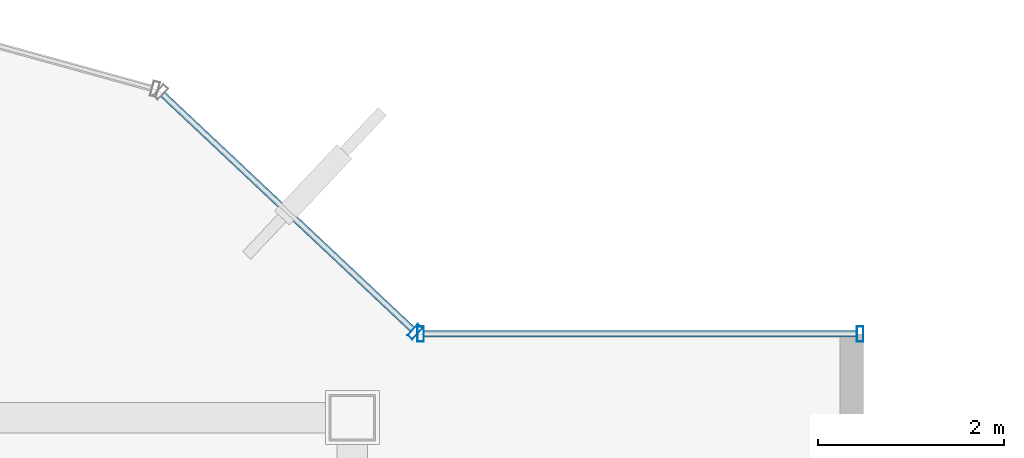
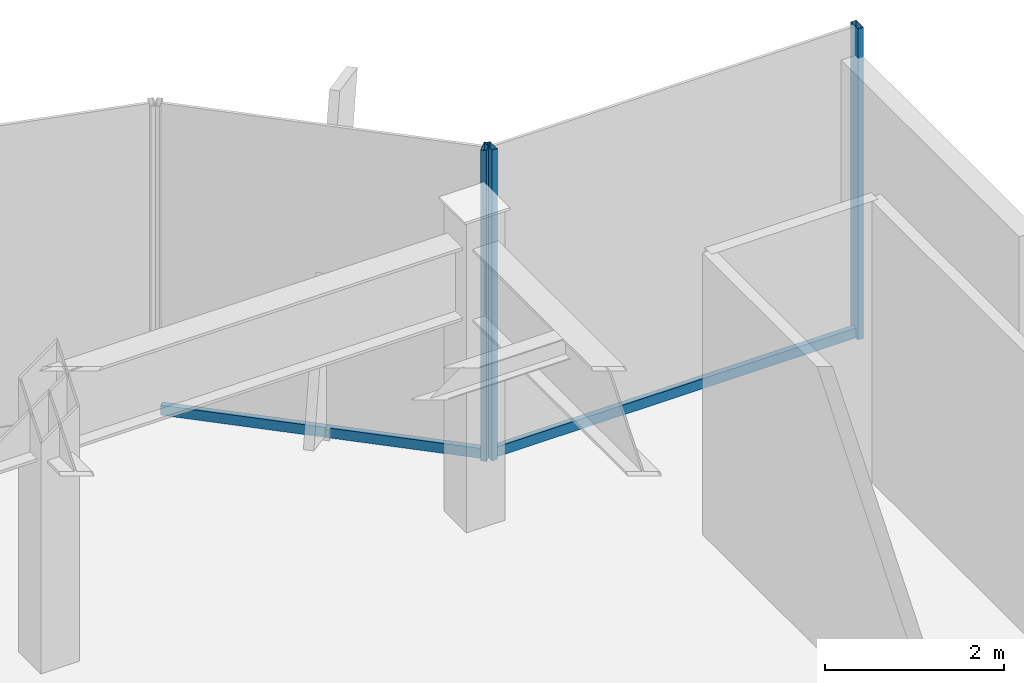
# One storey, part 17 of 24: 5 members, 2 elements without a shape of their own.
"""IFC4 building model written with IfcOpenShell, lengths in metres."""

import ifcopenshell
import ifcopenshell.guid

model = None  # the IFC model being written
_history = None  # IfcOwnerHistory: only IFC2X3 demands one
_inside = {}  # id of a spatial element -> (the spatial element, [elements in it])
_under = {}  # id of a project, library or spatial element -> (it, [spatial elements below it])
_declared = {}  # id of a project -> (the project, [libraries it declares])
_typed = {}  # id of a type object -> (the type object, [elements of that type])
_made_of = {}  # id of a material, layer set ... -> (it, [elements and type objects made of it])


def new_model(schema):
    """Start an empty IFC model of exactly this schema.

    Asked for "IFC4X3", IfcOpenShell would pick the latest addendum, in which some entities
    have other attributes; the version numbers below select the first issue.
    IFC2X3 requires an IfcOwnerHistory on every rooted entity: one is made here for all.
    """
    global model, _history
    if schema == "IFC4X3":
        model = ifcopenshell.file(schema_version=(4, 3, 0, 0))
    else:
        model = ifcopenshell.file(schema=schema)
    _inside.clear()
    _under.clear()
    _declared.clear()
    _typed.clear()
    _made_of.clear()
    _history = None
    if model.schema == "IFC2X3":
        org = make("IfcOrganization", Name="unknown")
        user = make(
            "IfcPersonAndOrganization",
            ThePerson=make("IfcPerson", FamilyName="unknown"),
            TheOrganization=org,
        )
        app = make(
            "IfcApplication",
            ApplicationDeveloper=org,
            Version="unknown",
            ApplicationFullName="unknown",
            ApplicationIdentifier="unknown",
        )
        _history = make(
            "IfcOwnerHistory",
            OwningUser=user,
            OwningApplication=app,
            ChangeAction="ADDED",
            CreationDate=0,
        )
    return model


def make(cls, **values):
    """One entity of the class cls with the attributes given. An attribute that is None is left unset."""
    return model.create_entity(
        cls, **{name: value for name, value in values.items() if value is not None}
    )


def rooted(cls, **values):
    """An entity with a GlobalId (a new one), such as an element, a storey or a relation."""
    return make(cls, GlobalId=ifcopenshell.guid.new(), OwnerHistory=_history, **values)


def si_unit(unit_type, name, prefix=None):
    """IfcSIUnit, for example si_unit("LENGTHUNIT", "METRE", prefix="MILLI")."""
    return make("IfcSIUnit", UnitType=unit_type, Prefix=prefix, Name=name)


def derived_unit(unit_type, elements):
    """IfcDerivedUnit: a product of units, each with its exponent."""
    return make(
        "IfcDerivedUnit",
        Elements=[
            make("IfcDerivedUnitElement", Unit=unit, Exponent=power)
            for unit, power in elements
        ],
        UnitType=unit_type,
    )


def assignment(units):
    """IfcUnitAssignment: the units of a project."""
    return None if units is None else make("IfcUnitAssignment", Units=units)


def point(xyz):
    """IfcCartesianPoint."""
    return None if xyz is None else make("IfcCartesianPoint", Coordinates=xyz)


def direction(xyz):
    """IfcDirection."""
    return None if xyz is None else make("IfcDirection", DirectionRatios=xyz)


def frame(location, z_axis=None, x_axis=None):
    """IfcAxis2Placement3D, a coordinate frame: its origin and axes. An axis left out is left unset."""
    return make(
        "IfcAxis2Placement3D",
        Location=point(location),
        Axis=direction(z_axis),
        RefDirection=direction(x_axis),
    )


def frame_2d(location, x_axis=None):
    """IfcAxis2Placement2D, a coordinate frame in the plane: its origin and x axis."""
    return make(
        "IfcAxis2Placement2D", Location=point(location), RefDirection=direction(x_axis)
    )


def origin():
    """The frame at (0, 0, 0) with its axes left unset."""
    return frame((0.0, 0.0, 0.0))


def origin_2d():
    """The frame at (0, 0) in the plane with its x axis left unset."""
    return frame_2d((0.0, 0.0))


def place(relative_to, where):
    """IfcLocalPlacement: puts the frame where relative to a parent placement (None: the world)."""
    return make(
        "IfcLocalPlacement", PlacementRelTo=relative_to, RelativePlacement=where
    )


def context(
    kind, dimensions, precision=None, world=None, true_north=None, identifier=None
):
    """IfcGeometricRepresentationContext, for example the 3D "Model" context."""
    return make(
        "IfcGeometricRepresentationContext",
        ContextIdentifier=identifier,
        ContextType=kind,
        CoordinateSpaceDimension=dimensions,
        Precision=precision,
        WorldCoordinateSystem=world,
        TrueNorth=true_north,
    )


def subcontext(parent, identifier, kind, view, scale=None):
    """IfcGeometricRepresentationSubContext, for example "Body" below "Model"."""
    return make(
        "IfcGeometricRepresentationSubContext",
        ContextIdentifier=identifier,
        ContextType=kind,
        ParentContext=parent,
        TargetScale=scale,
        TargetView=view,
    )


def project(units=None, contexts=None):
    """IfcProject with its units and contexts."""
    return rooted(
        "IfcProject",
        Name="project",
        RepresentationContexts=contexts,
        UnitsInContext=assignment(units),
    )


def spatial(cls, under=None, at=None, **own):
    """A site, building, storey or space (cls), placed at a placement, below another one or the project."""
    s = rooted(cls, ObjectPlacement=at, **own)
    if under is not None:
        _under.setdefault(under.id(), (under, []))[1].append(s)
    return s


def profile(cls, at=None, kind="AREA", **sizes):
    """A parametric profile (cls). Its sizes go by their IFC names, for example OverallWidth=200.0."""
    return make(cls, ProfileType=kind, Position=at, **sizes)


def hollow_rectangle(**sizes):
    """IfcRectangleHollowProfileDef."""
    return profile("IfcRectangleHollowProfileDef", **sizes)


def extrude(swept, where, along, depth):
    """IfcExtrudedAreaSolid: the profile swept, set in the frame where, extruded along a direction by depth."""
    return make(
        "IfcExtrudedAreaSolid",
        SweptArea=swept,
        Position=where,
        ExtrudedDirection=direction(along),
        Depth=depth,
    )


def shape(context_of_items, identifier, shape_type, items):
    """IfcShapeRepresentation: the items that make up one representation, for example the "Body"."""
    return make(
        "IfcShapeRepresentation",
        ContextOfItems=context_of_items,
        RepresentationIdentifier=identifier,
        RepresentationType=shape_type,
        Items=items,
    )


def source(mapping_origin, context_of_items, identifier, shape_type, items):
    """IfcRepresentationMap: a shape defined once, which mapped items show again and again."""
    return make(
        "IfcRepresentationMap",
        MappingOrigin=mapping_origin,
        MappedRepresentation=shape(context_of_items, identifier, shape_type, items),
    )


def transform(
    local_origin,
    x_axis=None,
    y_axis=None,
    z_axis=None,
    scale=None,
    scale2=None,
    scale3=None,
    uniform=True,
):
    """IfcCartesianTransformationOperator3D, or its non-uniform kind. x_axis, y_axis, z_axis: its Axis1, 2, 3."""
    if uniform:
        return make(
            "IfcCartesianTransformationOperator3D",
            Axis1=direction(x_axis),
            Axis2=direction(y_axis),
            LocalOrigin=point(local_origin),
            Scale=scale,
            Axis3=direction(z_axis),
        )
    return make(
        "IfcCartesianTransformationOperator3DnonUniform",
        Axis1=direction(x_axis),
        Axis2=direction(y_axis),
        LocalOrigin=point(local_origin),
        Scale=scale,
        Axis3=direction(z_axis),
        Scale2=scale2,
        Scale3=scale3,
    )


def mapped(mapping_source, mapping_target):
    """IfcMappedItem: shows the shape of a source again, moved by a transform."""
    return make(
        "IfcMappedItem", MappingSource=mapping_source, MappingTarget=mapping_target
    )


def material(Name=None, Category=None):
    """IfcMaterial."""
    return make("IfcMaterial", Name=Name, Category=Category)


def material_profile(
    of_material, cross_section, Name=None, Category=None, Priority=None
):
    """IfcMaterialProfile: a cross section and its material."""
    return make(
        "IfcMaterialProfile",
        Name=Name,
        Material=of_material,
        Profile=cross_section,
        Priority=Priority,
        Category=Category,
    )


def profile_set(profiles, Name=None, composite=None):
    """IfcMaterialProfileSet."""
    return make(
        "IfcMaterialProfileSet",
        Name=Name,
        MaterialProfiles=profiles,
        CompositeProfile=composite,
    )


def made_of(thing, what):
    """Note that an element or type object is made of a material, layer set ...; save() writes the relation."""
    if what is not None:
        _made_of.setdefault(what.id(), (what, []))[1].append(thing)
    return thing


def type_object(cls, material=None, **own):
    """A type object (cls), such as IfcWallType, which elements share."""
    return made_of(rooted(cls, **own), material)


def element(
    cls,
    number,
    at=None,
    inside=None,
    cuts=None,
    type_object=None,
    material=None,
    context=None,
    identifier="Body",
    shape_type=None,
    held_by="IfcProductDefinitionShape",
    body=None,
    shapes=None,
    **own,
):
    """One element of the class cls, such as IfcWall. Its Tag is "e" and its number.

    at: its placement. inside: the storey or other place that contains it. cuts: it is an
    opening in that element (IfcRelVoidsElement). A single representation is given by context,
    identifier, shape_type and body (its items); several are given by shapes. held_by: the class
    of the entity that holds the representations. save() writes the other relations.
    """
    e = rooted(cls, Tag="e%d" % number, ObjectPlacement=at, **own)
    if body is not None:
        shapes = [shape(context, identifier, shape_type, body)]
    if shapes is not None:
        e.Representation = make(held_by, Representations=shapes)
    if inside is not None:
        _inside.setdefault(inside.id(), (inside, []))[1].append(e)
    if cuts is not None:
        rooted(
            "IfcRelVoidsElement", RelatingBuildingElement=cuts, RelatedOpeningElement=e
        )
    if type_object is not None:
        _typed.setdefault(type_object.id(), (type_object, []))[1].append(e)
    return made_of(e, material)


def aggregate(whole, parts):
    """IfcRelAggregates: a whole, such as a stair, and the parts it consists of."""
    return rooted("IfcRelAggregates", RelatingObject=whole, RelatedObjects=parts)


def save(model, path):
    """Write the relations noted so far, then the file.

    IfcRelAggregates (storeys below a building ...), IfcRelContainedInSpatialStructure (elements
    in a storey), IfcRelDefinesByType, IfcRelAssociatesMaterial and IfcRelDeclares: one each for
    every whole, place, type object, material and project.
    """
    for whole, parts in _under.values():
        aggregate(whole, parts)
    for where, things in _inside.values():
        rooted(
            "IfcRelContainedInSpatialStructure",
            RelatedElements=things,
            RelatingStructure=where,
        )
    for kind, things in _typed.values():
        rooted("IfcRelDefinesByType", RelatedObjects=things, RelatingType=kind)
    for what, things in _made_of.values():
        rooted("IfcRelAssociatesMaterial", RelatedObjects=things, RelatingMaterial=what)
    for by, libraries in _declared.values():
        rooted("IfcRelDeclares", RelatingContext=by, RelatedDefinitions=libraries)
    model.write(path)


model = new_model("IFC4")

# Units and contexts
model_context = context("Model", 3, precision=1e-05, world=origin(), true_north=direction((0.0, 1.0)))
body_context = subcontext(model_context, "Body", "Model", "MODEL_VIEW")
ifc_project = project(units=[si_unit("LENGTHUNIT", "METRE"), si_unit("AREAUNIT", "SQUARE_METRE"), si_unit("VOLUMEUNIT", "CUBIC_METRE"), si_unit("PLANEANGLEUNIT", "RADIAN"), si_unit("MASSUNIT", "GRAM", prefix="KILO"), derived_unit("THERMALTRANSMITTANCEUNIT", [(si_unit("POWERUNIT", "WATT"), 1), (si_unit("LENGTHUNIT", "METRE"), -2), (si_unit("THERMODYNAMICTEMPERATUREUNIT", "KELVIN"), -1)])], contexts=[model_context])

# Site, building, storey
site_placement = place(None, origin())
site = spatial("IfcSite", under=ifc_project, at=site_placement, CompositionType="ELEMENT")
building_placement = place(site_placement, origin())
building = spatial("IfcBuilding", under=site, at=building_placement, Name="Skarnbrae Concourse Arena and Tower", CompositionType="ELEMENT")
storey_placement = place(building_placement, frame((0.0, 0.0, 288.0)))
storey = spatial("IfcBuildingStorey", under=building, at=storey_placement, Name="L75", CompositionType="ELEMENT", Elevation=288.0)

# Curtain wall, members
ifc_material = material(Name="Bronze anodised aluminium 6063-T6", Category="aluminium")
curtain_wall_type = type_object("IfcCurtainWallType", Name="CW-SYS-06-SKYLOBBY", PredefinedType="USERDEFINED", material=ifc_material)
curtain_wall_1_placement = place(storey_placement, origin())
curtain_wall_1 = element("IfcCurtainWall", 1, at=curtain_wall_1_placement, inside=storey, type_object=curtain_wall_type, Name="L75 Unitised curtain wall CW-L75-E07", ObjectType="UNITISED CURTAIN WALL", PredefinedType="USERDEFINED")
ifc_material_profile_1 = material_profile(ifc_material, hollow_rectangle(XDim=0.070068359375, YDim=0.135009765625, WallThickness=0.00390625, at=origin_2d()), Name="ALU-TRAN-70X135")
ifc_profile_set_1 = profile_set([ifc_material_profile_1], Name="Bronze anodised aluminium 6063-T6")
member_type_1 = type_object("IfcMemberType", Name="CWT-CW-06", PredefinedType="USERDEFINED", material=ifc_profile_set_1)
shared_shape_1 = source(origin(), body_context, "Body", "SweptSolid", [
    extrude(hollow_rectangle(XDim=0.070068359375, YDim=0.135009765625, WallThickness=0.00390625, at=origin_2d()), origin(), (0.0, 0.0, 1.0), 4.659912109375),
])
member_1_placement = place(storey_placement, frame((38.929931640625, 35.300048828125, 0.0673828125), z_axis=(-1.0, 0.0, 0.0), x_axis=(0.0, -1.0, 0.0)))
member_1 = element("IfcMember", 2, at=member_1_placement, type_object=member_type_1, Name="CW-L75-E07 Transom 1", ObjectType="TRANSOM", PredefinedType="USERDEFINED", context=body_context, shape_type="MappedRepresentation", body=[
    mapped(shared_shape_1, transform((0.0, 0.0, 0.0))),
])
ifc_material_profile_2 = material_profile(ifc_material, hollow_rectangle(XDim=0.070068359375, YDim=0.1650390625, WallThickness=0.00390625, at=origin_2d()), Name="ALU-MULL-70X165")
ifc_profile_set_2 = profile_set([ifc_material_profile_2], Name="Bronze anodised aluminium 6063-T6")
member_type_2 = type_object("IfcMemberType", Name="CWM-CW-06", PredefinedType="MULLION", material=ifc_profile_set_2)
shared_shape_2 = source(origin(), body_context, "Body", "SweptSolid", [
    extrude(hollow_rectangle(XDim=0.070068359375, YDim=0.1650390625, WallThickness=0.00390625, at=origin_2d()), origin(), (0.0, 0.0, 1.0), 4.25),
])
member_2_placement = place(storey_placement, frame((38.965087890625, 35.300048828125, 0.0), z_axis=(0.0, 0.0, 1.0), x_axis=(-1.0, 0.0, 0.0)))
member_2 = element("IfcMember", 3, at=member_2_placement, type_object=member_type_2, Name="CW-L75-E07 Mullion 1", PredefinedType="MULLION", context=body_context, shape_type="MappedRepresentation", body=[
    mapped(shared_shape_2, transform((0.0, 0.0, 0.0))),
])
member_3_placement = place(storey_placement, frame((34.235107421875, 35.300048828125, 0.0), z_axis=(0.0, 0.0, 1.0), x_axis=(-1.0, 0.0, 0.0)))
member_3 = element("IfcMember", 4, at=member_3_placement, type_object=member_type_2, Name="CW-L75-E07 Mullion 2", PredefinedType="MULLION", context=body_context, shape_type="MappedRepresentation", body=[
    mapped(shared_shape_2, transform((0.0, 0.0, 0.0))),
])
aggregate(curtain_wall_1, [member_2, member_3, member_1])

curtain_wall_2_placement = place(storey_placement, origin())
curtain_wall_2 = element("IfcCurtainWall", 5, at=curtain_wall_2_placement, inside=storey, type_object=curtain_wall_type, Name="L75 Unitised curtain wall CW-L75-E08", ObjectType="UNITISED CURTAIN WALL", PredefinedType="USERDEFINED")
member_4_placement = place(storey_placement, frame((34.174560546875, 35.323974609375, 0.0), z_axis=(0.0, 0.0, 1.0), x_axis=(-0.728130555214, 0.685438468838, 0.0)))
member_4 = element("IfcMember", 6, at=member_4_placement, type_object=member_type_2, Name="CW-L75-E08 Mullion 1", PredefinedType="MULLION", context=body_context, shape_type="MappedRepresentation", body=[
    mapped(shared_shape_2, transform((0.0, 0.0, 0.0))),
])
shared_shape_3 = source(origin(), body_context, "Body", "SweptSolid", [
    extrude(hollow_rectangle(XDim=0.070068359375, YDim=0.135009765625, WallThickness=0.00390625, at=origin_2d()), origin(), (0.0, 0.0, 1.0), 3.692138671875),
])
member_5_placement = place(storey_placement, frame((34.14892578125, 35.347900390625, 0.0673828125), z_axis=(-0.72811068641, 0.685459574546, 0.0), x_axis=(-0.685459574546, -0.72811068641, 0.0)))
member_5 = element("IfcMember", 7, at=member_5_placement, type_object=member_type_1, Name="CW-L75-E08 Transom 1", ObjectType="TRANSOM", PredefinedType="USERDEFINED", context=body_context, shape_type="MappedRepresentation", body=[
    mapped(shared_shape_3, transform((0.0, 0.0, 0.0))),
])
aggregate(curtain_wall_2, [member_4, member_5])

save(model, "model.ifc")
